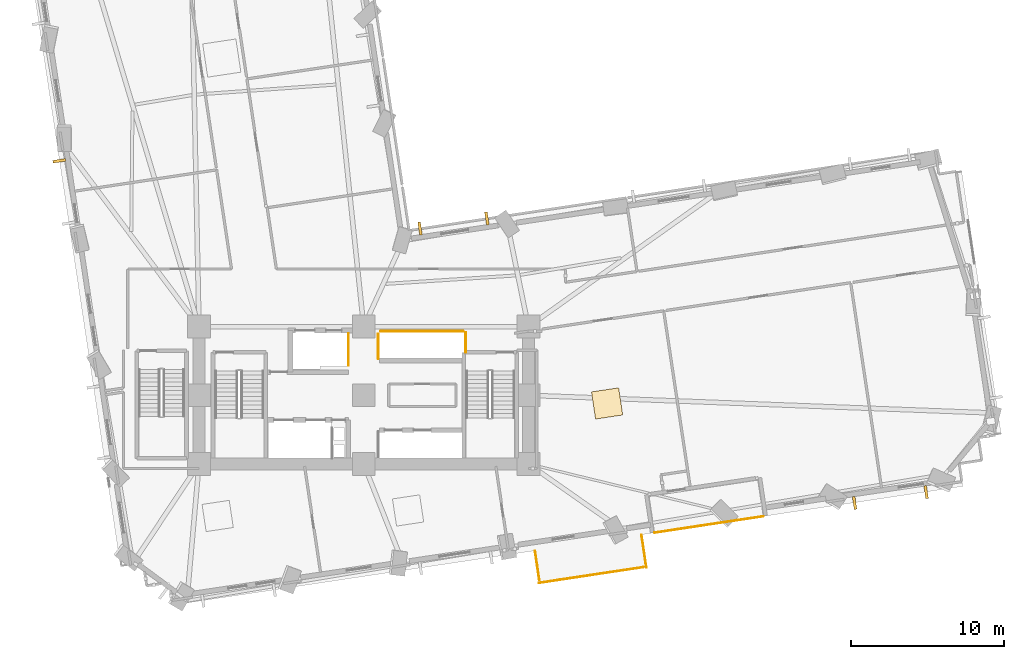
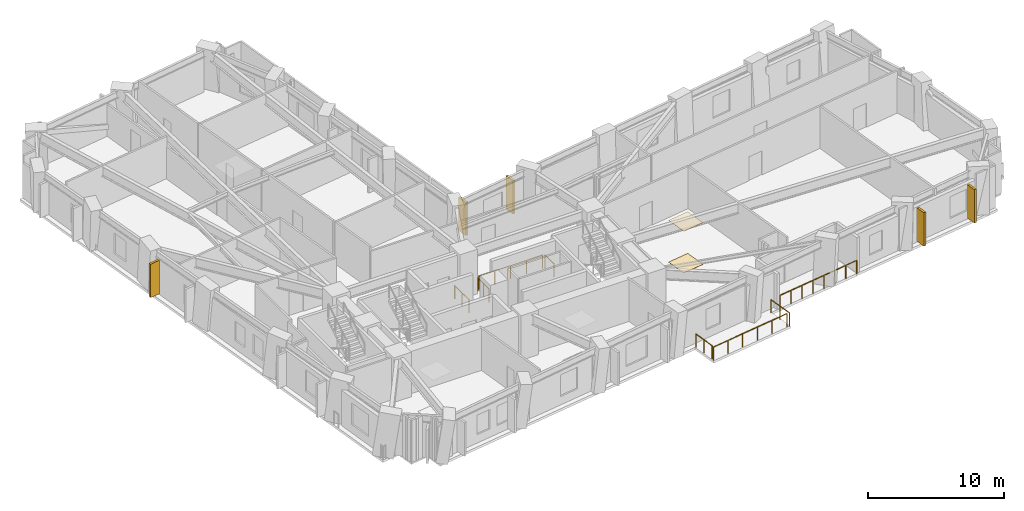
# One storey, part 13 of 15: 8 railings, 5 shading devices, 2 coverings.
"""IFC4 building model written with IfcOpenShell, lengths in metres."""

import ifcopenshell
import ifcopenshell.guid

model = None  # the IFC model being written
_history = None  # IfcOwnerHistory: only IFC2X3 demands one
_inside = {}  # id of a spatial element -> (the spatial element, [elements in it])
_under = {}  # id of a project, library or spatial element -> (it, [spatial elements below it])
_declared = {}  # id of a project -> (the project, [libraries it declares])
_typed = {}  # id of a type object -> (the type object, [elements of that type])
_made_of = {}  # id of a material, layer set ... -> (it, [elements and type objects made of it])


def new_model(schema):
    """Start an empty IFC model of exactly this schema.

    Asked for "IFC4X3", IfcOpenShell would pick the latest addendum, in which some entities
    have other attributes; the version numbers below select the first issue.
    IFC2X3 requires an IfcOwnerHistory on every rooted entity: one is made here for all.
    """
    global model, _history
    if schema == "IFC4X3":
        model = ifcopenshell.file(schema_version=(4, 3, 0, 0))
    else:
        model = ifcopenshell.file(schema=schema)
    _inside.clear()
    _under.clear()
    _declared.clear()
    _typed.clear()
    _made_of.clear()
    _history = None
    if model.schema == "IFC2X3":
        org = make("IfcOrganization", Name="unknown")
        user = make(
            "IfcPersonAndOrganization",
            ThePerson=make("IfcPerson", FamilyName="unknown"),
            TheOrganization=org,
        )
        app = make(
            "IfcApplication",
            ApplicationDeveloper=org,
            Version="unknown",
            ApplicationFullName="unknown",
            ApplicationIdentifier="unknown",
        )
        _history = make(
            "IfcOwnerHistory",
            OwningUser=user,
            OwningApplication=app,
            ChangeAction="ADDED",
            CreationDate=0,
        )
    return model


def make(cls, **values):
    """One entity of the class cls with the attributes given. An attribute that is None is left unset."""
    return model.create_entity(
        cls, **{name: value for name, value in values.items() if value is not None}
    )


def rooted(cls, **values):
    """An entity with a GlobalId (a new one), such as an element, a storey or a relation."""
    return make(cls, GlobalId=ifcopenshell.guid.new(), OwnerHistory=_history, **values)


def si_unit(unit_type, name, prefix=None):
    """IfcSIUnit, for example si_unit("LENGTHUNIT", "METRE", prefix="MILLI")."""
    return make("IfcSIUnit", UnitType=unit_type, Prefix=prefix, Name=name)


def assignment(units):
    """IfcUnitAssignment: the units of a project."""
    return None if units is None else make("IfcUnitAssignment", Units=units)


def point(xyz):
    """IfcCartesianPoint."""
    return None if xyz is None else make("IfcCartesianPoint", Coordinates=xyz)


def direction(xyz):
    """IfcDirection."""
    return None if xyz is None else make("IfcDirection", DirectionRatios=xyz)


def frame(location, z_axis=None, x_axis=None):
    """IfcAxis2Placement3D, a coordinate frame: its origin and axes. An axis left out is left unset."""
    return make(
        "IfcAxis2Placement3D",
        Location=point(location),
        Axis=direction(z_axis),
        RefDirection=direction(x_axis),
    )


def frame_2d(location, x_axis=None):
    """IfcAxis2Placement2D, a coordinate frame in the plane: its origin and x axis."""
    return make(
        "IfcAxis2Placement2D", Location=point(location), RefDirection=direction(x_axis)
    )


def origin():
    """The frame at (0, 0, 0) with its axes left unset."""
    return frame((0.0, 0.0, 0.0))


def origin_2d():
    """The frame at (0, 0) in the plane with its x axis left unset."""
    return frame_2d((0.0, 0.0))


def place(relative_to, where):
    """IfcLocalPlacement: puts the frame where relative to a parent placement (None: the world)."""
    return make(
        "IfcLocalPlacement", PlacementRelTo=relative_to, RelativePlacement=where
    )


def context(
    kind, dimensions, precision=None, world=None, true_north=None, identifier=None
):
    """IfcGeometricRepresentationContext, for example the 3D "Model" context."""
    return make(
        "IfcGeometricRepresentationContext",
        ContextIdentifier=identifier,
        ContextType=kind,
        CoordinateSpaceDimension=dimensions,
        Precision=precision,
        WorldCoordinateSystem=world,
        TrueNorth=true_north,
    )


def subcontext(parent, identifier, kind, view, scale=None):
    """IfcGeometricRepresentationSubContext, for example "Body" below "Model"."""
    return make(
        "IfcGeometricRepresentationSubContext",
        ContextIdentifier=identifier,
        ContextType=kind,
        ParentContext=parent,
        TargetScale=scale,
        TargetView=view,
    )


def project(units=None, contexts=None):
    """IfcProject with its units and contexts."""
    return rooted(
        "IfcProject",
        Name="project",
        RepresentationContexts=contexts,
        UnitsInContext=assignment(units),
    )


def spatial(cls, under=None, at=None, **own):
    """A site, building, storey or space (cls), placed at a placement, below another one or the project."""
    s = rooted(cls, ObjectPlacement=at, **own)
    if under is not None:
        _under.setdefault(under.id(), (under, []))[1].append(s)
    return s


def profile(cls, at=None, kind="AREA", **sizes):
    """A parametric profile (cls). Its sizes go by their IFC names, for example OverallWidth=200.0."""
    return make(cls, ProfileType=kind, Position=at, **sizes)


def rectangle(**sizes):
    """IfcRectangleProfileDef."""
    return profile("IfcRectangleProfileDef", **sizes)


def circle(**sizes):
    """IfcCircleProfileDef."""
    return profile("IfcCircleProfileDef", **sizes)


def extrude(swept, where, along, depth):
    """IfcExtrudedAreaSolid: the profile swept, set in the frame where, extruded along a direction by depth."""
    return make(
        "IfcExtrudedAreaSolid",
        SweptArea=swept,
        Position=where,
        ExtrudedDirection=direction(along),
        Depth=depth,
    )


def shape(context_of_items, identifier, shape_type, items):
    """IfcShapeRepresentation: the items that make up one representation, for example the "Body"."""
    return make(
        "IfcShapeRepresentation",
        ContextOfItems=context_of_items,
        RepresentationIdentifier=identifier,
        RepresentationType=shape_type,
        Items=items,
    )


def material(Name=None, Category=None):
    """IfcMaterial."""
    return make("IfcMaterial", Name=Name, Category=Category)


def layer(
    of_material, thickness, ventilated=None, Name=None, Category=None, Priority=None
):
    """IfcMaterialLayer: one layer of a wall or slab, of a material (None: an air gap)."""
    return make(
        "IfcMaterialLayer",
        Material=of_material,
        LayerThickness=thickness,
        IsVentilated=ventilated,
        Name=Name,
        Category=Category,
        Priority=Priority,
    )


def layer_set(layers, Name=None):
    """IfcMaterialLayerSet."""
    return make("IfcMaterialLayerSet", MaterialLayers=layers, LayerSetName=Name)


def made_of(thing, what):
    """Note that an element or type object is made of a material, layer set ...; save() writes the relation."""
    if what is not None:
        _made_of.setdefault(what.id(), (what, []))[1].append(thing)
    return thing


def type_object(cls, material=None, **own):
    """A type object (cls), such as IfcWallType, which elements share."""
    return made_of(rooted(cls, **own), material)


def element(
    cls,
    number,
    at=None,
    inside=None,
    cuts=None,
    type_object=None,
    material=None,
    context=None,
    identifier="Body",
    shape_type=None,
    held_by="IfcProductDefinitionShape",
    body=None,
    shapes=None,
    **own,
):
    """One element of the class cls, such as IfcWall. Its Tag is "e" and its number.

    at: its placement. inside: the storey or other place that contains it. cuts: it is an
    opening in that element (IfcRelVoidsElement). A single representation is given by context,
    identifier, shape_type and body (its items); several are given by shapes. held_by: the class
    of the entity that holds the representations. save() writes the other relations.
    """
    e = rooted(cls, Tag="e%d" % number, ObjectPlacement=at, **own)
    if body is not None:
        shapes = [shape(context, identifier, shape_type, body)]
    if shapes is not None:
        e.Representation = make(held_by, Representations=shapes)
    if inside is not None:
        _inside.setdefault(inside.id(), (inside, []))[1].append(e)
    if cuts is not None:
        rooted(
            "IfcRelVoidsElement", RelatingBuildingElement=cuts, RelatedOpeningElement=e
        )
    if type_object is not None:
        _typed.setdefault(type_object.id(), (type_object, []))[1].append(e)
    return made_of(e, material)


def aggregate(whole, parts):
    """IfcRelAggregates: a whole, such as a stair, and the parts it consists of."""
    return rooted("IfcRelAggregates", RelatingObject=whole, RelatedObjects=parts)


def save(model, path):
    """Write the relations noted so far, then the file.

    IfcRelAggregates (storeys below a building ...), IfcRelContainedInSpatialStructure (elements
    in a storey), IfcRelDefinesByType, IfcRelAssociatesMaterial and IfcRelDeclares: one each for
    every whole, place, type object, material and project.
    """
    for whole, parts in _under.values():
        aggregate(whole, parts)
    for where, things in _inside.values():
        rooted(
            "IfcRelContainedInSpatialStructure",
            RelatedElements=things,
            RelatingStructure=where,
        )
    for kind, things in _typed.values():
        rooted("IfcRelDefinesByType", RelatedObjects=things, RelatingType=kind)
    for what, things in _made_of.values():
        rooted("IfcRelAssociatesMaterial", RelatedObjects=things, RelatingMaterial=what)
    for by, libraries in _declared.values():
        rooted("IfcRelDeclares", RelatingContext=by, RelatedDefinitions=libraries)
    model.write(path)


model = new_model("IFC4")

# Units and contexts
model_context = context("Model", 3, precision=1e-05, world=origin(), true_north=direction((0.0, 1.0)))
body_context = subcontext(model_context, "Body", "Model", "MODEL_VIEW")
ifc_project = project(units=[si_unit("LENGTHUNIT", "METRE"), si_unit("AREAUNIT", "SQUARE_METRE"), si_unit("VOLUMEUNIT", "CUBIC_METRE"), si_unit("PLANEANGLEUNIT", "RADIAN"), si_unit("MASSUNIT", "GRAM", prefix="KILO")], contexts=[model_context])

# Site, building, storey
site_placement = place(None, origin())
site = spatial("IfcSite", under=ifc_project, at=site_placement, CompositionType="ELEMENT")
building_placement = place(site_placement, origin())
building = spatial("IfcBuilding", under=site, at=building_placement, Name="Gaonmaruhae Medical Tower", CompositionType="ELEMENT")
storey_placement = place(building_placement, frame((0.0, 0.0, 59.0)))
storey = spatial("IfcBuildingStorey", under=building, at=storey_placement, Name="L13", CompositionType="ELEMENT", Elevation=59.0)

# Coverings
ifc_material_1 = material(Name="Acoustic mineral ceiling tile", Category="finish")
ifc_layer_1 = layer(ifc_material_1, 0.02490234375)
ifc_layer_set_1 = layer_set([ifc_layer_1], Name="Acoustic mineral ceiling tile")
covering_type_1 = type_object("IfcCoveringType", Name="CLG-01 Antimicrobial Acoustic Mineral Ceiling", PredefinedType="CEILING", material=ifc_layer_set_1)
covering_1_placement = place(storey_placement, frame((40.7607421875, 11.765380859375, 3.735107421875), z_axis=(0.0, 0.0, 1.0), x_axis=(0.988886498745, 0.148672433897, 0.0)))
element("IfcCovering", 1, at=covering_1_placement, inside=storey, type_object=covering_type_1, Name="L13 Clinical Room Acoustic Ceiling 4", PredefinedType="CEILING", context=body_context, shape_type="SweptSolid", body=[
    extrude(rectangle(XDim=1.800048828125, YDim=1.800048828125, at=origin_2d()), origin(), (0.0, 0.0, 1.0), 0.02490234375),
])
ifc_material_2 = material(Name="Seamless clinical vinyl flooring", Category="finish")
ifc_layer_2 = layer(ifc_material_2, 0.014892578125)
ifc_layer_set_2 = layer_set([ifc_layer_2], Name="Seamless clinical vinyl flooring")
covering_type_2 = type_object("IfcCoveringType", Name="FLR-01 Seamless Clinical Antistatic Vinyl Flooring", PredefinedType="FLOORING", material=ifc_layer_set_2)
covering_2_placement = place(storey_placement, frame((40.7607421875, 11.765380859375, 0.0), z_axis=(0.0, 0.0, 1.0), x_axis=(0.988886498745, 0.148672433897, 0.0)))
element("IfcCovering", 2, at=covering_2_placement, inside=storey, type_object=covering_type_2, Name="L13 Clinical Room Vinyl Flooring 4", PredefinedType="FLOORING", context=body_context, shape_type="SweptSolid", body=[
    extrude(rectangle(XDim=1.800048828125, YDim=1.800048828125, at=origin_2d()), origin(), (0.0, 0.0, 1.0), 0.014892578125),
])

# Railings
ifc_material_3 = material(Name="Stainless steel 316L and laminated safety glass", Category="steel")
ifc_layer_3 = layer(ifc_material_3, 0.080078125)
ifc_layer_set_3 = layer_set([ifc_layer_3], Name="Stainless steel 316L and laminated safety glass")
railing_type_1 = type_object("IfcRailingType", Name="GD-120 Outdoor Terrace Safety Glass & Steel Balustrade", PredefinedType="BALUSTRADE", material=ifc_layer_set_3)
railing_1_placement = place(storey_placement, frame((43.876220703125, 3.288818359375, 0.0)))
element("IfcRailing", 3, at=railing_1_placement, inside=storey, type_object=railing_type_1, Name="L13 Terrace Safety Guard RL-SLB-L13-TER-01", PredefinedType="BALUSTRADE", context=body_context, shape_type="SweptSolid", body=[
    extrude(circle(Radius=0.02392578125, at=origin_2d()), frame((0.0, 0.0, 1.17578125), z_axis=(0.988889545679, 0.148652165967, 0.0), x_axis=(-0.148652165967, 0.988889545679, 0.0)), (0.0, 0.0, 1.0), 7.2001953125),
    extrude(circle(Radius=0.02099609375, at=origin_2d()), origin(), (0.0, 0.0, 1.0), 1.15185546875),
    extrude(circle(Radius=0.02099609375, at=origin_2d()), frame((1.01708984375, 0.15283203125, 0.0)), (0.0, 0.0, 1.0), 1.15185546875),
    extrude(circle(Radius=0.02099609375, at=origin_2d()), frame((2.034423828125, 0.305908203125, 0.0)), (0.0, 0.0, 1.0), 1.15185546875),
    extrude(circle(Radius=0.02099609375, at=origin_2d()), frame((3.051513671875, 0.458740234375, 0.0)), (0.0, 0.0, 1.0), 1.15185546875),
    extrude(circle(Radius=0.02099609375, at=origin_2d()), frame((4.068603515625, 0.611572265625, 0.0)), (0.0, 0.0, 1.0), 1.15185546875),
    extrude(circle(Radius=0.02099609375, at=origin_2d()), frame((5.085693359375, 0.764404296875, 0.0)), (0.0, 0.0, 1.0), 1.15185546875),
    extrude(circle(Radius=0.02099609375, at=origin_2d()), frame((6.10302734375, 0.91748046875, 0.0)), (0.0, 0.0, 1.0), 1.15185546875),
    extrude(circle(Radius=0.02099609375, at=origin_2d()), frame((7.1201171875, 1.0703125, 0.0)), (0.0, 0.0, 1.0), 1.15185546875),
])
railing_2_placement = place(storey_placement, frame((43.01904296875, 3.1396484375, 0.0)))
element("IfcRailing", 4, at=railing_2_placement, inside=storey, type_object=railing_type_1, Name="L13 Perimeter Slab Edge Safety Balustrade 07", PredefinedType="BALUSTRADE", context=body_context, shape_type="SweptSolid", body=[
    extrude(circle(Radius=0.02392578125, at=origin_2d()), frame((0.0, 0.0, 1.17578125), z_axis=(0.148633382705, -0.98889236904, 0.0), x_axis=(0.98889236904, 0.148633382705, 0.0)), (0.0, 0.0, 1.0), 2.159912109375),
    extrude(circle(Radius=0.02099609375, at=origin_2d()), origin(), (0.0, 0.0, 1.0), 1.15185546875),
    extrude(circle(Radius=0.02099609375, at=origin_2d()), frame((0.16064453125, -1.06787109375, 0.0)), (0.0, 0.0, 1.0), 1.15185546875),
    extrude(circle(Radius=0.02099609375, at=origin_2d()), frame((0.321044921875, -2.135986328125, 0.0)), (0.0, 0.0, 1.0), 1.15185546875),
])
railing_3_placement = place(storey_placement, frame((43.1337890625, 1.023193359375, 0.0)))
element("IfcRailing", 5, at=railing_3_placement, inside=storey, type_object=railing_type_1, Name="L13 Perimeter Slab Edge Safety Balustrade 08", PredefinedType="BALUSTRADE", context=body_context, shape_type="SweptSolid", body=[
    extrude(circle(Radius=0.02392578125, at=origin_2d()), frame((0.0, 0.0, 1.17578125), z_axis=(-0.988887569901, -0.148665308983, 0.0), x_axis=(0.148665308983, -0.988887569901, 0.0)), (0.0, 0.0, 1.0), 6.90869140625),
    extrude(circle(Radius=0.02099609375, at=origin_2d()), origin(), (0.0, 0.0, 1.0), 1.15185546875),
    extrude(circle(Radius=0.02099609375, at=origin_2d()), frame((-1.366455078125, -0.205322265625, 0.0)), (0.0, 0.0, 1.0), 1.15185546875),
    extrude(circle(Radius=0.02099609375, at=origin_2d()), frame((-2.73291015625, -0.410888671875, 0.0)), (0.0, 0.0, 1.0), 1.15185546875),
    extrude(circle(Radius=0.02099609375, at=origin_2d()), frame((-4.09912109375, -0.6162109375, 0.0)), (0.0, 0.0, 1.0), 1.15185546875),
    extrude(circle(Radius=0.02099609375, at=origin_2d()), frame((-5.465576171875, -0.82177734375, 0.0)), (0.0, 0.0, 1.0), 1.15185546875),
    extrude(circle(Radius=0.02099609375, at=origin_2d()), frame((-6.83203125, -1.027099609375, 0.0)), (0.0, 0.0, 1.0), 1.15185546875),
])
railing_4_placement = place(storey_placement, frame((36.322998046875, 0.189697265625, 0.0)))
element("IfcRailing", 6, at=railing_4_placement, inside=storey, type_object=railing_type_1, Name="L13 Perimeter Slab Edge Safety Balustrade 09", PredefinedType="BALUSTRADE", context=body_context, shape_type="SweptSolid", body=[
    extrude(circle(Radius=0.02392578125, at=origin_2d()), frame((0.0, 0.0, 1.17578125), z_axis=(-0.148638636669, 0.98889157934, 0.0), x_axis=(-0.98889157934, -0.148638636669, 0.0)), (0.0, 0.0, 1.0), 1.921630859375),
    extrude(circle(Radius=0.02099609375, at=origin_2d()), origin(), (0.0, 0.0, 1.0), 1.15185546875),
    extrude(circle(Radius=0.02099609375, at=origin_2d()), frame((-0.142822265625, 0.9501953125, 0.0)), (0.0, 0.0, 1.0), 1.15185546875),
    extrude(circle(Radius=0.02099609375, at=origin_2d()), frame((-0.28564453125, 1.900390625, 0.0)), (0.0, 0.0, 1.0), 1.15185546875),
])

# Shading devices
ifc_material_4 = material(Name="Pigmented coral precast concrete C45/55", Category="concrete")
shading_device_type = type_object("IfcShadingDeviceType", Name="SD-FIN1 Tower Vertical Coral Precast Shading Fin", PredefinedType="USERDEFINED", material=ifc_material_4)
for number, where, z_axis, x_axis, name in (
    (7, (61.679443359375, 5.9501953125, 0.08251953125), (0.0, 0.0, 1.0), (-0.988886498745, -0.148672433897, 0.0), "L13 Vertical Coral Precast Shading Fin S07"),
    (8, (56.987548828125, 5.24462890625, 0.08251953125), (0.0, 0.0, 1.0), (-0.988886498745, -0.148672433897, 0.0), "L13 Vertical Coral Precast Shading Fin S07B"),
    (9, (28.492431640625, 23.23828125, 0.08251953125), (0.0, 0.0, 1.0), (0.98888390377, 0.1486896932, 0.0), "L13 Vertical Coral Precast Shading Fin EN04"),
    (10, (32.87939453125, 23.89794921875, 0.08251953125), (0.0, 0.0, 1.0), (0.98888390377, 0.1486896932, 0.0), "L13 Vertical Coral Precast Shading Fin EN04B"),
    (11, (4.838134765625, 27.673828125, 0.08251953125), (0.0, 0.0, 1.0), (-0.148672433897, 0.988886498745, 0.0), "L13 Vertical Coral Precast Shading Fin W03B"),
):
    element("IfcShadingDevice", number, at=place(storey_placement, frame(where, z_axis=z_axis, x_axis=x_axis)), inside=storey, type_object=shading_device_type, Name=name, ObjectType="FIN", PredefinedType="USERDEFINED", context=body_context, shape_type="SweptSolid", body=[
        extrude(rectangle(XDim=0.179931640625, YDim=0.85009765625, at=origin_2d()), origin(), (0.0, 0.0, 1.0), 3.0),
    ])

# Railings
ifc_material_5 = material(Name="Stainless steel 304 balustrade", Category="steel")
railing_type_2 = type_object("IfcRailingType", Name="SG-112 Stair Well & Ramp Void Safety Balustrade", PredefinedType="BALUSTRADE", material=ifc_material_5)
railing_5_placement = place(storey_placement, frame((23.794921875, 16.35498046875, 0.0)))
element("IfcRailing", 12, at=railing_5_placement, inside=storey, type_object=railing_type_2, Name="L13 Shaft Edge Safety Guard 13", PredefinedType="BALUSTRADE", context=body_context, shape_type="SweptSolid", body=[
    extrude(circle(Radius=0.02392578125, at=origin_2d()), frame((0.0, 0.0, 1.17578125), z_axis=(0.0, -1.0, 0.0), x_axis=(1.0, 0.0, 0.0)), (0.0, 0.0, 1.0), 2.10986328125),
    extrude(circle(Radius=0.02099609375, at=origin_2d()), origin(), (0.0, 0.0, 1.0), 1.15185546875),
    extrude(circle(Radius=0.02099609375, at=origin_2d()), frame((0.0, -1.054931640625, 0.0)), (0.0, 0.0, 1.0), 1.15185546875),
    extrude(circle(Radius=0.02099609375, at=origin_2d()), frame((0.0, -2.10986328125, 0.0)), (0.0, 0.0, 1.0), 1.15185546875),
])
railing_6_placement = place(storey_placement, frame((31.4951171875, 16.405029296875, 0.0)))
element("IfcRailing", 13, at=railing_6_placement, inside=storey, type_object=railing_type_2, Name="L13 Shaft Edge Safety Guard 14", PredefinedType="BALUSTRADE", context=body_context, shape_type="SweptSolid", body=[
    extrude(circle(Radius=0.02392578125, at=origin_2d()), frame((0.0, 0.0, 1.17578125), z_axis=(0.0, -1.0, 0.0), x_axis=(1.0, 0.0, 0.0)), (0.0, 0.0, 1.0), 1.284912109375),
    extrude(circle(Radius=0.02099609375, at=origin_2d()), origin(), (0.0, 0.0, 1.0), 1.15185546875),
    extrude(circle(Radius=0.02099609375, at=origin_2d()), frame((0.0, -1.284912109375, 0.0)), (0.0, 0.0, 1.0), 1.15185546875),
])
railing_7_placement = place(storey_placement, frame((25.7548828125, 14.695068359375, 0.0)))
element("IfcRailing", 14, at=railing_7_placement, inside=storey, type_object=railing_type_2, Name="L13 Shaft Edge Safety Guard 15", PredefinedType="BALUSTRADE", context=body_context, shape_type="SweptSolid", body=[
    extrude(circle(Radius=0.02392578125, at=origin_2d()), frame((0.0, 0.0, 1.17578125), z_axis=(0.0, 1.0, 0.0), x_axis=(-1.0, 0.0, 0.0)), (0.0, 0.0, 1.0), 1.635009765625),
    extrude(circle(Radius=0.02099609375, at=origin_2d()), origin(), (0.0, 0.0, 1.0), 1.15185546875),
    extrude(circle(Radius=0.02099609375, at=origin_2d()), frame((0.0, 0.8173828125, 0.0)), (0.0, 0.0, 1.0), 1.15185546875),
    extrude(circle(Radius=0.02099609375, at=origin_2d()), frame((0.0, 1.635009765625, 0.0)), (0.0, 0.0, 1.0), 1.15185546875),
])
railing_8_placement = place(storey_placement, frame((25.919921875, 16.4951171875, 0.0)))
element("IfcRailing", 15, at=railing_8_placement, inside=storey, type_object=railing_type_2, Name="L13 Shaft Edge Safety Guard 16", PredefinedType="BALUSTRADE", context=body_context, shape_type="SweptSolid", body=[
    extrude(circle(Radius=0.02392578125, at=origin_2d()), frame((0.0, 0.0, 1.17578125), z_axis=(1.0, 0.0, 0.0), x_axis=(0.0, 1.0, 0.0)), (0.0, 0.0, 1.0), 5.41015625),
    extrude(circle(Radius=0.02099609375, at=origin_2d()), origin(), (0.0, 0.0, 1.0), 1.15185546875),
    extrude(circle(Radius=0.02099609375, at=origin_2d()), frame((1.3525390625, 0.0, 0.0)), (0.0, 0.0, 1.0), 1.15185546875),
    extrude(circle(Radius=0.02099609375, at=origin_2d()), frame((2.705078125, 0.0, 0.0)), (0.0, 0.0, 1.0), 1.15185546875),
    extrude(circle(Radius=0.02099609375, at=origin_2d()), frame((4.0576171875, 0.0, 0.0)), (0.0, 0.0, 1.0), 1.15185546875),
    extrude(circle(Radius=0.02099609375, at=origin_2d()), frame((5.41015625, 0.0, 0.0)), (0.0, 0.0, 1.0), 1.15185546875),
])

save(model, "model.ifc")
